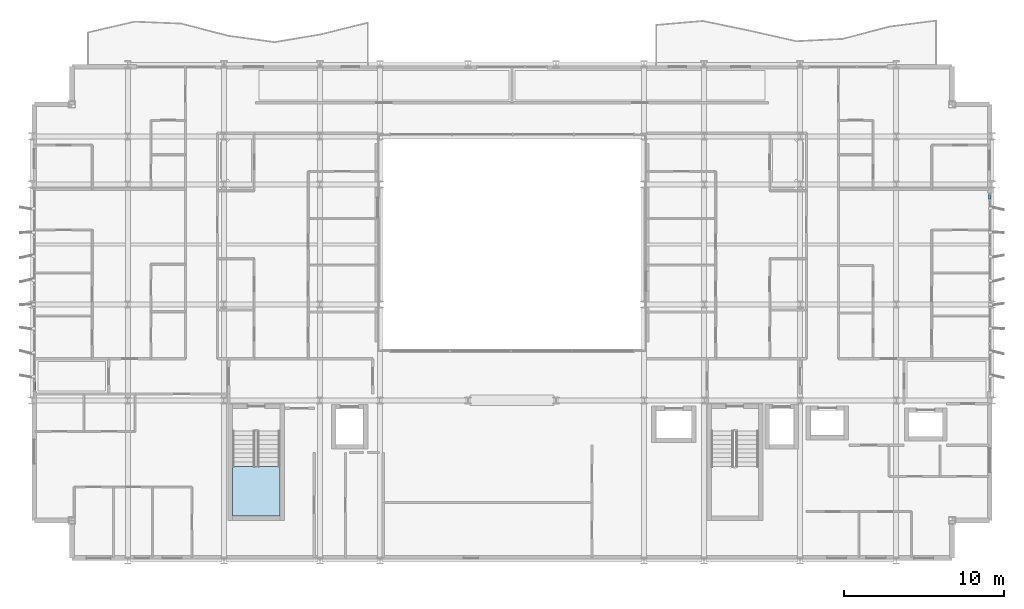
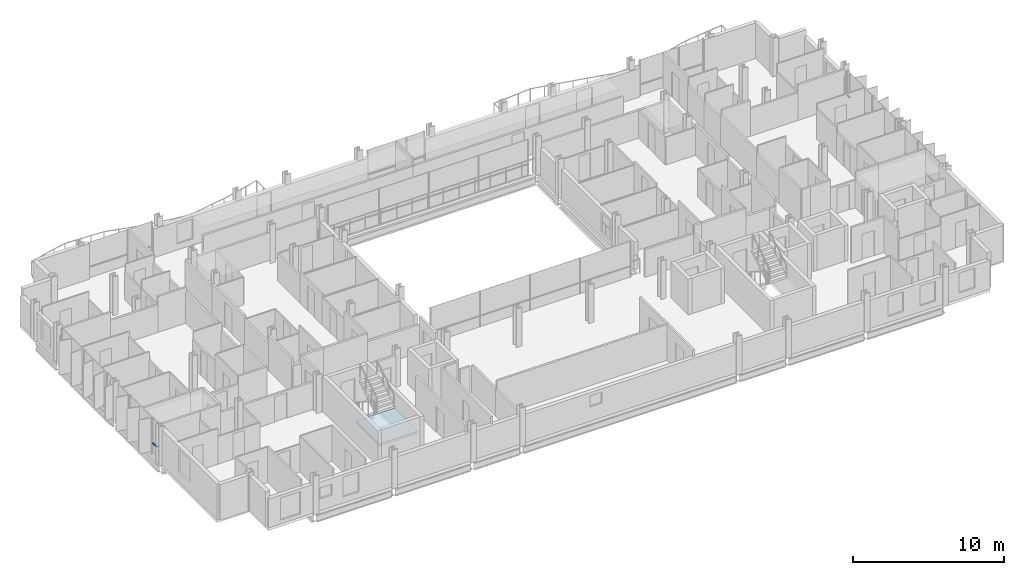
# One storey, part 21 of 38: 2 members, 1 slab, 3 elements without a shape of their own.
"""IFC4 building model written with IfcOpenShell, lengths in metres."""

from ifc_helpers import new_model, si_unit, direction, frame, origin, origin_2d, place, context, subcontext, project, spatial, polyline, hollow_rectangle, outline, extrude, material, layer, layer_set, material_profile, profile_set, type_object, element, aggregate, save


model = new_model("IFC4")

# Units and contexts
model_context = context("Model", 3, precision=1e-05, world=origin(), true_north=direction((0.0, 1.0)))
body_context = subcontext(model_context, "Body", "Model", "MODEL_VIEW")
ifc_project = project(units=[si_unit("LENGTHUNIT", "METRE"), si_unit("AREAUNIT", "SQUARE_METRE"), si_unit("VOLUMEUNIT", "CUBIC_METRE"), si_unit("PLANEANGLEUNIT", "RADIAN"), si_unit("MASSUNIT", "GRAM", prefix="KILO")], contexts=[model_context])

# Site, building, storey
site_placement = place(None, origin())
site = spatial("IfcSite", under=ifc_project, at=site_placement, CompositionType="ELEMENT")
building_placement = place(site_placement, origin())
building = spatial("IfcBuilding", under=site, at=building_placement, Name="Brevholm Reach", CompositionType="ELEMENT")
storey_placement = place(building_placement, frame((0.0, 0.0, 71.39990234375)))
storey = spatial("IfcBuildingStorey", under=building, at=storey_placement, Name="L20", CompositionType="ELEMENT", Elevation=71.39990234375)

# Curtain wall, member
ifc_material_1 = material(Name="Dark Anodised Aluminium 6063-T6 and Solar-Control Glass", Category="aluminium")
ifc_layer_1 = layer(ifc_material_1, 0.14990234375)
ifc_layer_set_1 = layer_set([ifc_layer_1], Name="Dark Anodised Aluminium 6063-T6 and Solar-Control Glass")
curtain_wall_type = type_object("IfcCurtainWallType", Name="CW-01", PredefinedType="NOTDEFINED", material=ifc_layer_set_1)
curtain_wall_1_placement = place(storey_placement, origin())
curtain_wall_1 = element("IfcCurtainWall", 1, at=curtain_wall_1_placement, inside=storey, type_object=curtain_wall_type, Name="L20 Curtain Wall CW-01", PredefinedType="NOTDEFINED")
ifc_material_2 = material(Name="Dark Anodised Aluminium 6063-T6", Category="aluminium")
ifc_material_profile = material_profile(ifc_material_2, hollow_rectangle(XDim=0.06494140625, YDim=0.14990234375, WallThickness=0.0048828125, InnerFilletRadius=0.0048828125, OuterFilletRadius=0.010009765625, at=origin_2d()), Name="RHS 150x65x5")
ifc_profile_set = profile_set([ifc_material_profile], Name="Dark Anodised Aluminium 6063-T6")
member_type = type_object("IfcMemberType", Name="CWT-150", PredefinedType="NOTDEFINED", material=ifc_profile_set)
member_1_placement = place(storey_placement, frame((0.14990234375, 11.1875, 0.900146484375), z_axis=(0.0, -1.0, 0.0), x_axis=(0.0, 0.0, 1.0)))
member_1 = element("IfcMember", 2, at=member_1_placement, type_object=member_type, Name="CT-150 Transom 5.1", ObjectType="TRANSOM", PredefinedType="USERDEFINED", context=body_context, shape_type="SweptSolid", body=[
    extrude(hollow_rectangle(XDim=0.06494140625, YDim=0.14990234375, WallThickness=0.0048828125, InnerFilletRadius=0.0048828125, OuterFilletRadius=0.010009765625, at=origin_2d()), origin(), (0.0, 0.0, 1.0), 0.572509765625),
])
aggregate(curtain_wall_1, [member_1])

curtain_wall_2_placement = place(storey_placement, origin())
curtain_wall_2 = element("IfcCurtainWall", 3, at=curtain_wall_2_placement, inside=storey, type_object=curtain_wall_type, Name="L20 Curtain Wall CW-01", PredefinedType="NOTDEFINED")
member_2_placement = place(storey_placement, frame((59.85009765625, 22.58251953125, 0.900146484375), z_axis=(0.0, 1.0, 0.0), x_axis=(0.0, 0.0, 1.0)))
member_2 = element("IfcMember", 4, at=member_2_placement, type_object=member_type, Name="CT-150 Transom 5.1", ObjectType="TRANSOM", PredefinedType="USERDEFINED", context=body_context, shape_type="SweptSolid", body=[
    extrude(hollow_rectangle(XDim=0.06494140625, YDim=0.14990234375, WallThickness=0.0048828125, InnerFilletRadius=0.0048828125, OuterFilletRadius=0.010009765625, at=origin_2d()), origin(), (0.0, 0.0, 1.0), 0.302490234375),
])
aggregate(curtain_wall_2, [member_2])

# Stair, slab
ifc_material_3 = material(Name="Precast Concrete C40/50", Category="concrete")
stair_type = type_object("IfcStairType", Name="STR-ESC-1400", PredefinedType="DOUBLE_RETURN_STAIR", material=ifc_material_3)
stair_placement = place(storey_placement, origin())
stair = element("IfcStair", 5, at=stair_placement, inside=storey, type_object=stair_type, Name="L20 ST-1", PredefinedType="DOUBLE_RETURN_STAIR")
ifc_material_4 = material(Name="Concrete C40/50", Category="concrete")
ifc_layer_2 = layer(ifc_material_4, 0.199951171875)
ifc_layer_set_2 = layer_set([ifc_layer_2], Name="Concrete C40/50")
slab_type = type_object("IfcSlabType", Name="SLB-LND-200", PredefinedType="LANDING", material=ifc_layer_set_2)
slab_placement = place(storey_placement, frame((0.0, 0.0, 1.35009765625)))
slab = element("IfcSlab", 6, at=slab_placement, type_object=slab_type, Name="ST-1 landing 1", PredefinedType="LANDING", context=body_context, shape_type="SweptSolid", body=[
    extrude(outline(polyline([(12.550048828125, 5.860107421875), (12.550048828125, 2.780029296875), (15.5, 2.780029296875), (15.5, 5.860107421875), (12.550048828125, 5.860107421875)])), origin(), (0.0, 0.0, 1.0), 0.199951171875),
])
aggregate(stair, [slab])

save(model, "model.ifc")
